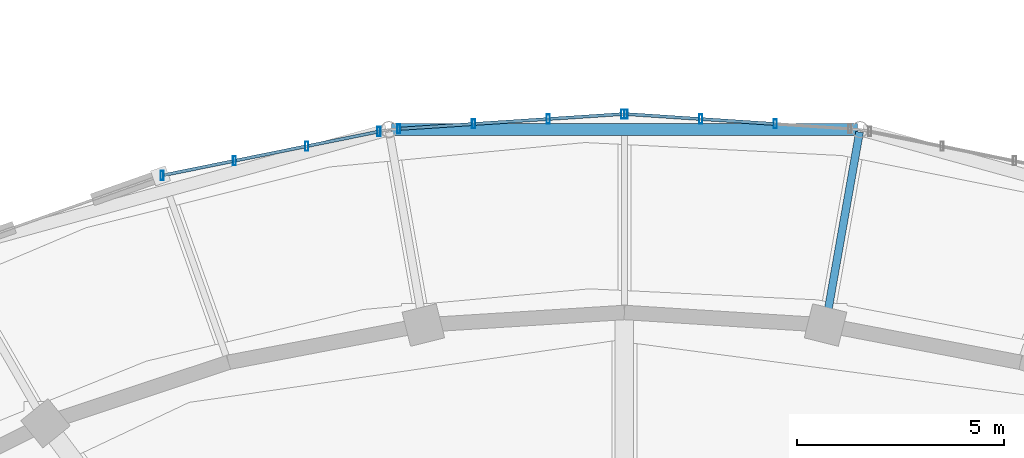
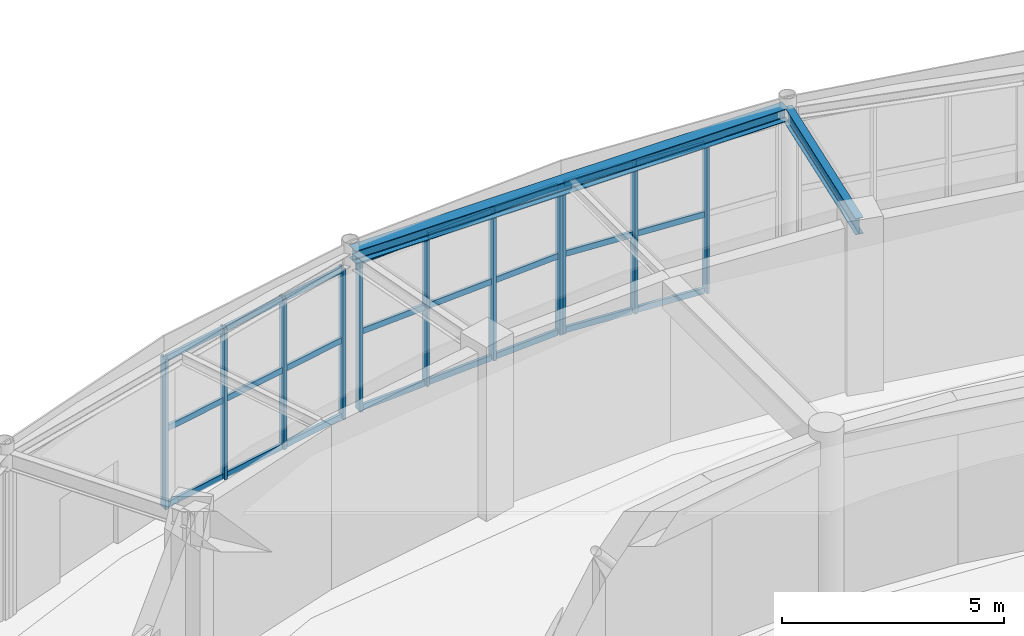
# One storey, part 55 of 108: 35 members, 2 beams, 3 elements without a shape of their own.
"""IFC4 building model written with IfcOpenShell, lengths in metres."""

from ifc_helpers import new_model, si_unit, direction, frame, origin, origin_2d, place, context, subcontext, project, spatial, hollow_rectangle, i_section, extrude, material, material_profile, profile_set, type_object, element, aggregate, save


model = new_model("IFC4")

# Units and contexts
model_context = context("Model", 3, precision=1e-05, world=origin(), true_north=direction((0.0, 1.0)))
body_context = subcontext(model_context, "Body", "Model", "MODEL_VIEW")
ifc_project = project(units=[si_unit("LENGTHUNIT", "METRE"), si_unit("AREAUNIT", "SQUARE_METRE"), si_unit("VOLUMEUNIT", "CUBIC_METRE"), si_unit("PLANEANGLEUNIT", "RADIAN"), si_unit("MASSUNIT", "GRAM", prefix="KILO")], contexts=[model_context])

# Site, building, storey
site_placement = place(None, origin())
site = spatial("IfcSite", under=ifc_project, at=site_placement, CompositionType="ELEMENT")
building_placement = place(site_placement, origin())
building = spatial("IfcBuilding", under=site, at=building_placement, Name="Tarnveldt Headland Concert Hall", CompositionType="ELEMENT")
storey_placement = place(building_placement, origin())
storey = spatial("IfcBuildingStorey", under=building, at=storey_placement, Name="L00", CompositionType="ELEMENT", Elevation=0.0)

# Curtain wall, members
ifc_material_1 = material(Name="Marine-anodised aluminium EN AW-6063-T6", Category="aluminium")
curtain_wall_type = type_object("IfcCurtainWallType", Name="CW-F1", PredefinedType="NOTDEFINED", material=ifc_material_1)
curtain_wall_1_placement = place(storey_placement, origin())
curtain_wall_1 = element("IfcCurtainWall", 1, at=curtain_wall_1_placement, inside=storey, type_object=curtain_wall_type, Name="Curtain wall CW-L00-007", PredefinedType="NOTDEFINED")
ifc_material_profile_1 = material_profile(ifc_material_1, hollow_rectangle(XDim=0.074951171875, YDim=0.219970703125, WallThickness=0.0048828125, at=origin_2d()), Name="ALU MULLION 75x220x5", Category="aluminium")
ifc_profile_set_1 = profile_set([ifc_material_profile_1], Name="Marine-anodised aluminium EN AW-6063-T6")
member_type_1 = type_object("IfcMemberType", Name="ML-200", PredefinedType="MULLION", material=ifc_profile_set_1)
member_1_placement = place(storey_placement, frame((87.148681640625, 79.05859375, 0.0), z_axis=(0.0, 0.0, 1.0), x_axis=(1.0, 0.0, 0.0)))
member_1 = element("IfcMember", 2, at=member_1_placement, type_object=member_type_1, Name="Mullion CW-L00-007-2", PredefinedType="MULLION", context=body_context, shape_type="SweptSolid", body=[
    extrude(hollow_rectangle(XDim=0.074951171875, YDim=0.219970703125, WallThickness=0.0048828125, at=origin_2d()), origin(), (0.0, 0.0, 1.0), 4.139892578125),
])
member_2_placement = place(storey_placement, frame((85.34423828125, 79.177978515625, 0.0), z_axis=(0.0, 0.0, 1.0), x_axis=(1.0, 0.0, 0.0)))
member_2 = element("IfcMember", 3, at=member_2_placement, type_object=member_type_1, Name="Mullion CW-L00-007-3", PredefinedType="MULLION", context=body_context, shape_type="SweptSolid", body=[
    extrude(hollow_rectangle(XDim=0.074951171875, YDim=0.219970703125, WallThickness=0.0048828125, at=origin_2d()), origin(), (0.0, 0.0, 1.0), 4.139892578125),
])
member_3_placement = place(storey_placement, frame((83.539794921875, 79.29736328125, 0.0), z_axis=(0.0, 0.0, 1.0), x_axis=(1.0, 0.0, 0.0)))
member_3 = element("IfcMember", 4, at=member_3_placement, type_object=member_type_1, Name="Mullion CW-L00-007-4", PredefinedType="MULLION", context=body_context, shape_type="SweptSolid", body=[
    extrude(hollow_rectangle(XDim=0.074951171875, YDim=0.219970703125, WallThickness=0.0048828125, at=origin_2d()), origin(), (0.0, 0.0, 1.0), 4.139892578125),
])

curtain_wall_2_placement = place(storey_placement, origin())
curtain_wall_2 = element("IfcCurtainWall", 5, at=curtain_wall_2_placement, inside=storey, type_object=curtain_wall_type, Name="Curtain wall CW-L00-008", PredefinedType="NOTDEFINED")
member_4_placement = place(storey_placement, frame((83.460205078125, 79.29736328125, 0.0), z_axis=(0.0, 0.0, 1.0), x_axis=(1.0, 0.0, 0.0)))
member_4 = element("IfcMember", 6, at=member_4_placement, type_object=member_type_1, Name="Mullion CW-L00-008-1", PredefinedType="MULLION", context=body_context, shape_type="SweptSolid", body=[
    extrude(hollow_rectangle(XDim=0.074951171875, YDim=0.219970703125, WallThickness=0.0048828125, at=origin_2d()), origin(), (0.0, 0.0, 1.0), 4.139892578125),
])
member_5_placement = place(storey_placement, frame((81.65576171875, 79.177978515625, 0.0), z_axis=(0.0, 0.0, 1.0), x_axis=(1.0, 0.0, 0.0)))
member_5 = element("IfcMember", 7, at=member_5_placement, type_object=member_type_1, Name="Mullion CW-L00-008-2", PredefinedType="MULLION", context=body_context, shape_type="SweptSolid", body=[
    extrude(hollow_rectangle(XDim=0.074951171875, YDim=0.219970703125, WallThickness=0.0048828125, at=origin_2d()), origin(), (0.0, 0.0, 1.0), 4.139892578125),
])
member_6_placement = place(storey_placement, frame((79.851318359375, 79.05859375, 0.0), z_axis=(0.0, 0.0, 1.0), x_axis=(1.0, 0.0, 0.0)))
member_6 = element("IfcMember", 8, at=member_6_placement, type_object=member_type_1, Name="Mullion CW-L00-008-3", PredefinedType="MULLION", context=body_context, shape_type="SweptSolid", body=[
    extrude(hollow_rectangle(XDim=0.074951171875, YDim=0.219970703125, WallThickness=0.0048828125, at=origin_2d()), origin(), (0.0, 0.0, 1.0), 4.139892578125),
])
member_7_placement = place(storey_placement, frame((78.047119140625, 78.939208984375, 0.0), z_axis=(0.0, 0.0, 1.0), x_axis=(1.0, 0.0, 0.0)))
member_7 = element("IfcMember", 9, at=member_7_placement, type_object=member_type_1, Name="Mullion CW-L00-008-4", PredefinedType="MULLION", context=body_context, shape_type="SweptSolid", body=[
    extrude(hollow_rectangle(XDim=0.074951171875, YDim=0.219970703125, WallThickness=0.0048828125, at=origin_2d()), origin(), (0.0, 0.0, 1.0), 4.139892578125),
])

curtain_wall_3_placement = place(storey_placement, origin())
curtain_wall_3 = element("IfcCurtainWall", 10, at=curtain_wall_3_placement, inside=storey, type_object=curtain_wall_type, Name="Curtain wall CW-L00-009", PredefinedType="NOTDEFINED")
member_8_placement = place(storey_placement, frame((77.56591796875, 78.875, 0.0), z_axis=(0.0, 0.0, 1.0), x_axis=(1.0, 0.0, 0.0)))
member_8 = element("IfcMember", 11, at=member_8_placement, type_object=member_type_1, Name="Mullion CW-L00-009-1", PredefinedType="MULLION", context=body_context, shape_type="SweptSolid", body=[
    extrude(hollow_rectangle(XDim=0.074951171875, YDim=0.219970703125, WallThickness=0.0048828125, at=origin_2d()), origin(), (0.0, 0.0, 1.0), 4.139892578125),
])
member_9_placement = place(storey_placement, frame((75.817626953125, 78.520751953125, 0.0), z_axis=(0.0, 0.0, 1.0), x_axis=(1.0, 0.0, 0.0)))
member_9 = element("IfcMember", 12, at=member_9_placement, type_object=member_type_1, Name="Mullion CW-L00-009-2", PredefinedType="MULLION", context=body_context, shape_type="SweptSolid", body=[
    extrude(hollow_rectangle(XDim=0.074951171875, YDim=0.219970703125, WallThickness=0.0048828125, at=origin_2d()), origin(), (0.0, 0.0, 1.0), 4.139892578125),
])
member_10_placement = place(storey_placement, frame((74.069091796875, 78.16650390625, 0.0), z_axis=(0.0, 0.0, 1.0), x_axis=(1.0, 0.0, 0.0)))
member_10 = element("IfcMember", 13, at=member_10_placement, type_object=member_type_1, Name="Mullion CW-L00-009-3", PredefinedType="MULLION", context=body_context, shape_type="SweptSolid", body=[
    extrude(hollow_rectangle(XDim=0.074951171875, YDim=0.219970703125, WallThickness=0.0048828125, at=origin_2d()), origin(), (0.0, 0.0, 1.0), 4.139892578125),
])
member_11_placement = place(storey_placement, frame((72.32080078125, 77.812255859375, 0.0), z_axis=(0.0, 0.0, 1.0), x_axis=(1.0, 0.0, 0.0)))
member_11 = element("IfcMember", 14, at=member_11_placement, type_object=member_type_1, Name="Mullion CW-L00-009-4", PredefinedType="MULLION", context=body_context, shape_type="SweptSolid", body=[
    extrude(hollow_rectangle(XDim=0.074951171875, YDim=0.219970703125, WallThickness=0.0048828125, at=origin_2d()), origin(), (0.0, 0.0, 1.0), 4.139892578125),
])

# Beams
ifc_material_2 = material(Name="Steel S355", Category="steel")
ifc_material_profile_2 = material_profile(ifc_material_2, i_section(OverallWidth=0.300048828125, OverallDepth=0.35009765625, WebThickness=0.010009765625, FlangeThickness=0.017578125, FilletRadius=0.027099609375, at=origin_2d()), Name="HEA360", Category="steel")
ifc_profile_set_2 = profile_set([ifc_material_profile_2], Name="Steel S355")
beam_type_1 = type_object("IfcBeamType", Name="SB-HEA360", PredefinedType="SPANDREL", material=ifc_profile_set_2)
beam_1_placement = place(storey_placement, frame((89.1357421875, 78.923095703125, 4.344970703125), z_axis=(-1.0, 0.0, 0.0), x_axis=(0.0, -1.0, 0.0)))
element("IfcBeam", 15, at=beam_1_placement, inside=storey, type_object=beam_type_1, Name="Framing beam L00-359", PredefinedType="SPANDREL", context=body_context, shape_type="SweptSolid", body=[
    extrude(i_section(OverallWidth=0.300048828125, OverallDepth=0.35009765625, WebThickness=0.010009765625, FlangeThickness=0.017578125, FilletRadius=0.027099609375, at=origin_2d()), origin(), (0.0, 0.0, 1.0), 11.271484375),
])
ifc_material_profile_3 = material_profile(ifc_material_2, i_section(OverallWidth=0.18994140625, OverallDepth=0.449951171875, WebThickness=0.009521484375, FlangeThickness=0.0146484375, FilletRadius=0.02099609375, at=origin_2d()), Name="IPE450", Category="steel")
ifc_profile_set_3 = profile_set([ifc_material_profile_3], Name="Steel S355")
beam_type_2 = type_object("IfcBeamType", Name="SB-IPE450", PredefinedType="BEAM", material=ifc_profile_set_3)
beam_2_placement = place(storey_placement, frame((88.368896484375, 74.235595703125, 4.294921875), z_axis=(0.173708285572, 0.984797152475, 0.0), x_axis=(-0.984797152475, 0.173708285572, 0.0)))
element("IfcBeam", 16, at=beam_2_placement, inside=storey, type_object=beam_type_2, Name="Framing beam L00-360", PredefinedType="BEAM", context=body_context, shape_type="SweptSolid", body=[
    extrude(i_section(OverallWidth=0.18994140625, OverallDepth=0.449951171875, WebThickness=0.009521484375, FlangeThickness=0.0146484375, FilletRadius=0.02099609375, at=origin_2d()), origin(), (0.0, 0.0, 1.0), 4.699951171875),
])

# Member
ifc_material_profile_4 = material_profile(ifc_material_1, hollow_rectangle(XDim=0.074951171875, YDim=0.159912109375, WallThickness=0.00390625, at=origin_2d()), Name="ALU TRANSOM 75x160x4", Category="aluminium")
ifc_profile_set_4 = profile_set([ifc_material_profile_4], Name="Marine-anodised aluminium EN AW-6063-T6")
member_type_2 = type_object("IfcMemberType", Name="TR-160", PredefinedType="MEMBER", material=ifc_profile_set_4)
member_12_placement = place(storey_placement, frame((87.09912109375, 79.06201171875, 0.050048828125), z_axis=(-0.997819786405, 0.06599752918, 0.0), x_axis=(-0.06599752918, -0.997819786405, 0.0)))
member_12 = element("IfcMember", 17, at=member_12_placement, type_object=member_type_2, Name="Transom CW-L00-007-2-1", PredefinedType="MEMBER", context=body_context, shape_type="SweptSolid", body=[
    extrude(hollow_rectangle(XDim=0.074951171875, YDim=0.159912109375, WallThickness=0.00390625, at=origin_2d()), origin(), (0.0, 0.0, 1.0), 1.708984375),
])

member_13_placement = place(storey_placement, frame((87.09912109375, 79.06201171875, 2.15283203125), z_axis=(-0.997819786405, 0.06599752918, 0.0), x_axis=(-0.06599752918, -0.997819786405, 0.0)))
member_13 = element("IfcMember", 18, at=member_13_placement, type_object=member_type_2, Name="Transom CW-L00-007-2-2", PredefinedType="MEMBER", context=body_context, shape_type="SweptSolid", body=[
    extrude(hollow_rectangle(XDim=0.074951171875, YDim=0.159912109375, WallThickness=0.00390625, at=origin_2d()), origin(), (0.0, 0.0, 1.0), 1.708984375),
])

member_14_placement = place(storey_placement, frame((87.09912109375, 79.06201171875, 4.090087890625), z_axis=(-0.997819786405, 0.06599752918, 0.0), x_axis=(-0.06599752918, -0.997819786405, 0.0)))
member_14 = element("IfcMember", 19, at=member_14_placement, type_object=member_type_2, Name="Transom CW-L00-007-2-3", PredefinedType="MEMBER", context=body_context, shape_type="SweptSolid", body=[
    extrude(hollow_rectangle(XDim=0.074951171875, YDim=0.159912109375, WallThickness=0.00390625, at=origin_2d()), origin(), (0.0, 0.0, 1.0), 1.708984375),
])

member_15_placement = place(storey_placement, frame((85.294921875, 79.181396484375, 0.050048828125), z_axis=(-0.997820408488, 0.065988123207, 0.0), x_axis=(-0.065988123207, -0.997820408488, 0.0)))
member_15 = element("IfcMember", 20, at=member_15_placement, type_object=member_type_2, Name="Transom CW-L00-007-3-1", PredefinedType="MEMBER", context=body_context, shape_type="SweptSolid", body=[
    extrude(hollow_rectangle(XDim=0.074951171875, YDim=0.159912109375, WallThickness=0.00390625, at=origin_2d()), origin(), (0.0, 0.0, 1.0), 1.709228515625),
])

member_16_placement = place(storey_placement, frame((85.294921875, 79.181396484375, 2.15283203125), z_axis=(-0.997820408488, 0.065988123207, 0.0), x_axis=(-0.065988123207, -0.997820408488, 0.0)))
member_16 = element("IfcMember", 21, at=member_16_placement, type_object=member_type_2, Name="Transom CW-L00-007-3-2", PredefinedType="MEMBER", context=body_context, shape_type="SweptSolid", body=[
    extrude(hollow_rectangle(XDim=0.074951171875, YDim=0.159912109375, WallThickness=0.00390625, at=origin_2d()), origin(), (0.0, 0.0, 1.0), 1.709228515625),
])

member_17_placement = place(storey_placement, frame((85.294921875, 79.181396484375, 4.090087890625), z_axis=(-0.997820408488, 0.065988123207, 0.0), x_axis=(-0.065988123207, -0.997820408488, 0.0)))
member_17 = element("IfcMember", 22, at=member_17_placement, type_object=member_type_2, Name="Transom CW-L00-007-3-3", PredefinedType="MEMBER", context=body_context, shape_type="SweptSolid", body=[
    extrude(hollow_rectangle(XDim=0.074951171875, YDim=0.159912109375, WallThickness=0.00390625, at=origin_2d()), origin(), (0.0, 0.0, 1.0), 1.709228515625),
])

aggregate(curtain_wall_1, [member_1, member_2, member_3, member_12, member_13, member_14, member_15, member_16, member_17])

member_18_placement = place(storey_placement, frame((83.41064453125, 79.294189453125, 0.050048828125), z_axis=(-0.997820408488, -0.065988123207, 0.0), x_axis=(0.065988123207, -0.997820408488, 0.0)))
member_18 = element("IfcMember", 23, at=member_18_placement, type_object=member_type_2, Name="Transom CW-L00-008-1-1", PredefinedType="MEMBER", context=body_context, shape_type="SweptSolid", body=[
    extrude(hollow_rectangle(XDim=0.074951171875, YDim=0.159912109375, WallThickness=0.00390625, at=origin_2d()), origin(), (0.0, 0.0, 1.0), 1.709228515625),
])

member_19_placement = place(storey_placement, frame((83.41064453125, 79.294189453125, 2.15283203125), z_axis=(-0.997820408488, -0.065988123207, 0.0), x_axis=(0.065988123207, -0.997820408488, 0.0)))
member_19 = element("IfcMember", 24, at=member_19_placement, type_object=member_type_2, Name="Transom CW-L00-008-1-2", PredefinedType="MEMBER", context=body_context, shape_type="SweptSolid", body=[
    extrude(hollow_rectangle(XDim=0.074951171875, YDim=0.159912109375, WallThickness=0.00390625, at=origin_2d()), origin(), (0.0, 0.0, 1.0), 1.709228515625),
])

member_20_placement = place(storey_placement, frame((83.41064453125, 79.294189453125, 4.090087890625), z_axis=(-0.997820408488, -0.065988123207, 0.0), x_axis=(0.065988123207, -0.997820408488, 0.0)))
member_20 = element("IfcMember", 25, at=member_20_placement, type_object=member_type_2, Name="Transom CW-L00-008-1-3", PredefinedType="MEMBER", context=body_context, shape_type="SweptSolid", body=[
    extrude(hollow_rectangle(XDim=0.074951171875, YDim=0.159912109375, WallThickness=0.00390625, at=origin_2d()), origin(), (0.0, 0.0, 1.0), 1.709228515625),
])

member_21_placement = place(storey_placement, frame((81.606201171875, 79.1748046875, 0.050048828125), z_axis=(-0.997819786405, -0.06599752918, 0.0), x_axis=(0.06599752918, -0.997819786405, 0.0)))
member_21 = element("IfcMember", 26, at=member_21_placement, type_object=member_type_2, Name="Transom CW-L00-008-2-1", PredefinedType="MEMBER", context=body_context, shape_type="SweptSolid", body=[
    extrude(hollow_rectangle(XDim=0.074951171875, YDim=0.159912109375, WallThickness=0.00390625, at=origin_2d()), origin(), (0.0, 0.0, 1.0), 1.708984375),
])

member_22_placement = place(storey_placement, frame((81.606201171875, 79.1748046875, 2.15283203125), z_axis=(-0.997819786405, -0.06599752918, 0.0), x_axis=(0.06599752918, -0.997819786405, 0.0)))
member_22 = element("IfcMember", 27, at=member_22_placement, type_object=member_type_2, Name="Transom CW-L00-008-2-2", PredefinedType="MEMBER", context=body_context, shape_type="SweptSolid", body=[
    extrude(hollow_rectangle(XDim=0.074951171875, YDim=0.159912109375, WallThickness=0.00390625, at=origin_2d()), origin(), (0.0, 0.0, 1.0), 1.708984375),
])

member_23_placement = place(storey_placement, frame((81.606201171875, 79.1748046875, 4.090087890625), z_axis=(-0.997819786405, -0.06599752918, 0.0), x_axis=(0.06599752918, -0.997819786405, 0.0)))
member_23 = element("IfcMember", 28, at=member_23_placement, type_object=member_type_2, Name="Transom CW-L00-008-2-3", PredefinedType="MEMBER", context=body_context, shape_type="SweptSolid", body=[
    extrude(hollow_rectangle(XDim=0.074951171875, YDim=0.159912109375, WallThickness=0.00390625, at=origin_2d()), origin(), (0.0, 0.0, 1.0), 1.708984375),
])

member_24_placement = place(storey_placement, frame((79.802001953125, 79.055419921875, 0.050048828125), z_axis=(-0.997820408488, -0.065988123207, 0.0), x_axis=(0.065988123207, -0.997820408488, 0.0)))
member_24 = element("IfcMember", 29, at=member_24_placement, type_object=member_type_2, Name="Transom CW-L00-008-3-1", PredefinedType="MEMBER", context=body_context, shape_type="SweptSolid", body=[
    extrude(hollow_rectangle(XDim=0.074951171875, YDim=0.159912109375, WallThickness=0.00390625, at=origin_2d()), origin(), (0.0, 0.0, 1.0), 1.709228515625),
])

member_25_placement = place(storey_placement, frame((79.802001953125, 79.055419921875, 2.15283203125), z_axis=(-0.997820408488, -0.065988123207, 0.0), x_axis=(0.065988123207, -0.997820408488, 0.0)))
member_25 = element("IfcMember", 30, at=member_25_placement, type_object=member_type_2, Name="Transom CW-L00-008-3-2", PredefinedType="MEMBER", context=body_context, shape_type="SweptSolid", body=[
    extrude(hollow_rectangle(XDim=0.074951171875, YDim=0.159912109375, WallThickness=0.00390625, at=origin_2d()), origin(), (0.0, 0.0, 1.0), 1.709228515625),
])

member_26_placement = place(storey_placement, frame((79.802001953125, 79.055419921875, 4.090087890625), z_axis=(-0.997820408488, -0.065988123207, 0.0), x_axis=(0.065988123207, -0.997820408488, 0.0)))
member_26 = element("IfcMember", 31, at=member_26_placement, type_object=member_type_2, Name="Transom CW-L00-008-3-3", PredefinedType="MEMBER", context=body_context, shape_type="SweptSolid", body=[
    extrude(hollow_rectangle(XDim=0.074951171875, YDim=0.159912109375, WallThickness=0.00390625, at=origin_2d()), origin(), (0.0, 0.0, 1.0), 1.709228515625),
])

aggregate(curtain_wall_2, [member_4, member_5, member_6, member_7, member_18, member_19, member_20, member_21, member_22, member_23, member_24, member_25, member_26])

member_27_placement = place(storey_placement, frame((77.517333984375, 78.864990234375, 0.050048828125), z_axis=(-0.980092754065, -0.19854015571, 0.0), x_axis=(0.19854015571, -0.980092754065, 0.0)))
member_27 = element("IfcMember", 32, at=member_27_placement, type_object=member_type_2, Name="Transom CW-L00-009-1-1", PredefinedType="MEMBER", context=body_context, shape_type="SweptSolid", body=[
    extrude(hollow_rectangle(XDim=0.074951171875, YDim=0.159912109375, WallThickness=0.00390625, at=origin_2d()), origin(), (0.0, 0.0, 1.0), 1.6845703125),
])

member_28_placement = place(storey_placement, frame((77.517333984375, 78.864990234375, 2.15283203125), z_axis=(-0.980092754065, -0.19854015571, 0.0), x_axis=(0.19854015571, -0.980092754065, 0.0)))
member_28 = element("IfcMember", 33, at=member_28_placement, type_object=member_type_2, Name="Transom CW-L00-009-1-2", PredefinedType="MEMBER", context=body_context, shape_type="SweptSolid", body=[
    extrude(hollow_rectangle(XDim=0.074951171875, YDim=0.159912109375, WallThickness=0.00390625, at=origin_2d()), origin(), (0.0, 0.0, 1.0), 1.6845703125),
])

member_29_placement = place(storey_placement, frame((77.517333984375, 78.864990234375, 4.090087890625), z_axis=(-0.980092754065, -0.19854015571, 0.0), x_axis=(0.19854015571, -0.980092754065, 0.0)))
member_29 = element("IfcMember", 34, at=member_29_placement, type_object=member_type_2, Name="Transom CW-L00-009-1-3", PredefinedType="MEMBER", context=body_context, shape_type="SweptSolid", body=[
    extrude(hollow_rectangle(XDim=0.074951171875, YDim=0.159912109375, WallThickness=0.00390625, at=origin_2d()), origin(), (0.0, 0.0, 1.0), 1.6845703125),
])

member_30_placement = place(storey_placement, frame((75.76904296875, 78.510986328125, 0.050048828125), z_axis=(-0.980070264474, -0.198651143198, 0.0), x_axis=(0.198651143198, -0.980070264474, 0.0)))
member_30 = element("IfcMember", 35, at=member_30_placement, type_object=member_type_2, Name="Transom CW-L00-009-2-1", PredefinedType="MEMBER", context=body_context, shape_type="SweptSolid", body=[
    extrude(hollow_rectangle(XDim=0.074951171875, YDim=0.159912109375, WallThickness=0.00390625, at=origin_2d()), origin(), (0.0, 0.0, 1.0), 1.68505859375),
])

member_31_placement = place(storey_placement, frame((75.76904296875, 78.510986328125, 2.15283203125), z_axis=(-0.980070264474, -0.198651143198, 0.0), x_axis=(0.198651143198, -0.980070264474, 0.0)))
member_31 = element("IfcMember", 36, at=member_31_placement, type_object=member_type_2, Name="Transom CW-L00-009-2-2", PredefinedType="MEMBER", context=body_context, shape_type="SweptSolid", body=[
    extrude(hollow_rectangle(XDim=0.074951171875, YDim=0.159912109375, WallThickness=0.00390625, at=origin_2d()), origin(), (0.0, 0.0, 1.0), 1.68505859375),
])

member_32_placement = place(storey_placement, frame((75.76904296875, 78.510986328125, 4.090087890625), z_axis=(-0.980070264474, -0.198651143198, 0.0), x_axis=(0.198651143198, -0.980070264474, 0.0)))
member_32 = element("IfcMember", 37, at=member_32_placement, type_object=member_type_2, Name="Transom CW-L00-009-2-3", PredefinedType="MEMBER", context=body_context, shape_type="SweptSolid", body=[
    extrude(hollow_rectangle(XDim=0.074951171875, YDim=0.159912109375, WallThickness=0.00390625, at=origin_2d()), origin(), (0.0, 0.0, 1.0), 1.68505859375),
])

member_33_placement = place(storey_placement, frame((74.020751953125, 78.15673828125, 0.050048828125), z_axis=(-0.980070264474, -0.198651143198, 0.0), x_axis=(0.198651143198, -0.980070264474, 0.0)))
member_33 = element("IfcMember", 38, at=member_33_placement, type_object=member_type_2, Name="Transom CW-L00-009-3-1", PredefinedType="MEMBER", context=body_context, shape_type="SweptSolid", body=[
    extrude(hollow_rectangle(XDim=0.074951171875, YDim=0.159912109375, WallThickness=0.00390625, at=origin_2d()), origin(), (0.0, 0.0, 1.0), 1.68505859375),
])

member_34_placement = place(storey_placement, frame((74.020751953125, 78.15673828125, 2.15283203125), z_axis=(-0.980070264474, -0.198651143198, 0.0), x_axis=(0.198651143198, -0.980070264474, 0.0)))
member_34 = element("IfcMember", 39, at=member_34_placement, type_object=member_type_2, Name="Transom CW-L00-009-3-2", PredefinedType="MEMBER", context=body_context, shape_type="SweptSolid", body=[
    extrude(hollow_rectangle(XDim=0.074951171875, YDim=0.159912109375, WallThickness=0.00390625, at=origin_2d()), origin(), (0.0, 0.0, 1.0), 1.68505859375),
])

member_35_placement = place(storey_placement, frame((74.020751953125, 78.15673828125, 4.090087890625), z_axis=(-0.980070264474, -0.198651143198, 0.0), x_axis=(0.198651143198, -0.980070264474, 0.0)))
member_35 = element("IfcMember", 40, at=member_35_placement, type_object=member_type_2, Name="Transom CW-L00-009-3-3", PredefinedType="MEMBER", context=body_context, shape_type="SweptSolid", body=[
    extrude(hollow_rectangle(XDim=0.074951171875, YDim=0.159912109375, WallThickness=0.00390625, at=origin_2d()), origin(), (0.0, 0.0, 1.0), 1.68505859375),
])

aggregate(curtain_wall_3, [member_8, member_9, member_10, member_11, member_27, member_28, member_29, member_30, member_31, member_32, member_33, member_34, member_35])

save(model, "model.ifc")
